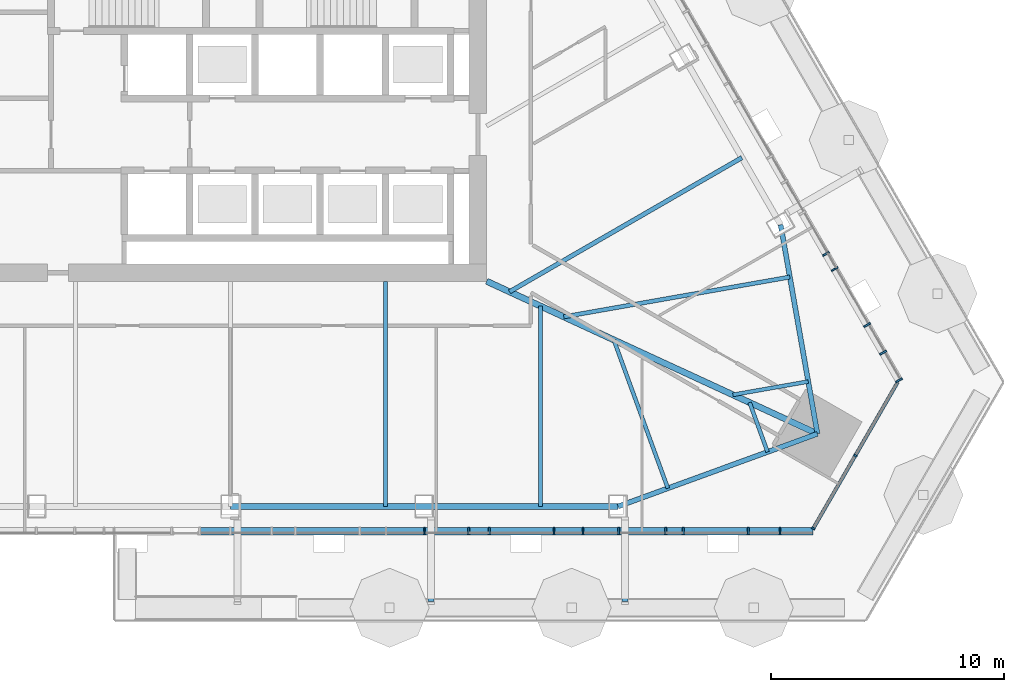
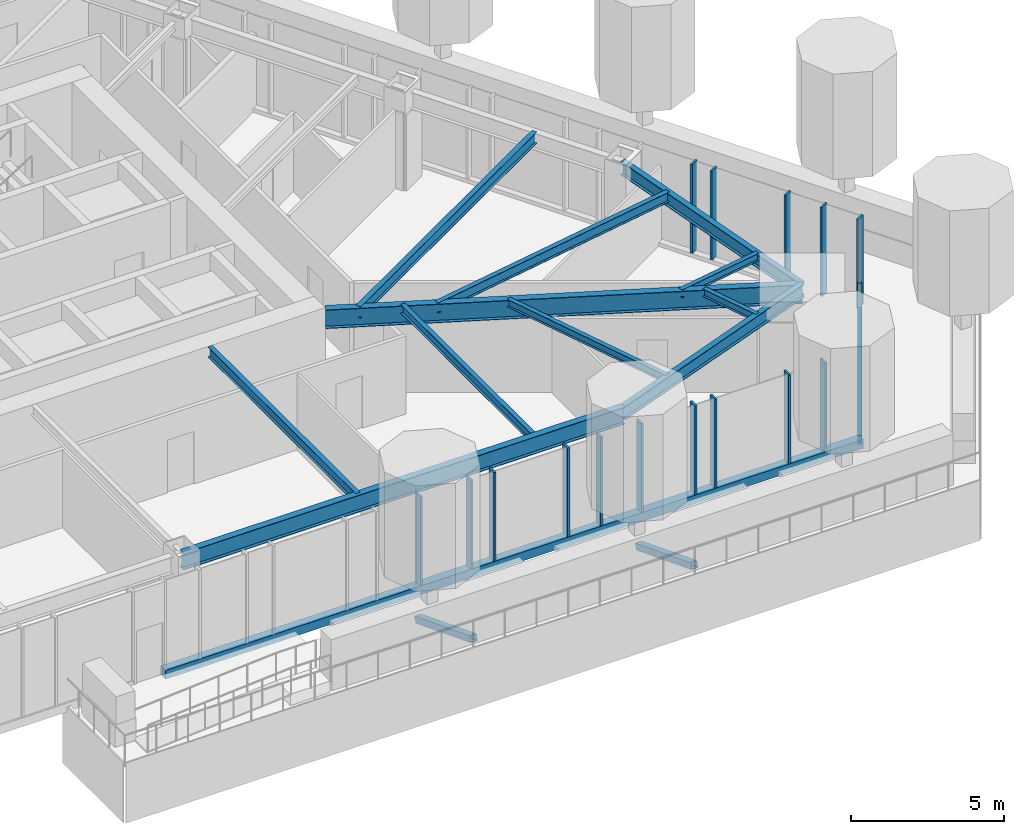
# One storey, part 4 of 18: 21 members, 11 beams, 3 elements without a shape of their own.
"""IFC4 building model written with IfcOpenShell, lengths in metres."""

from ifc_helpers import new_model, si_unit, direction, frame, origin, origin_2d, place, context, subcontext, project, spatial, rectangle, hollow_rectangle, i_section, extrude, material, layer, layer_set, material_profile, profile_set, type_object, element, aggregate, save


model = new_model("IFC4")

# Units and contexts
model_context = context("Model", 3, precision=1e-05, world=origin(), true_north=direction((0.0, 1.0)))
body_context = subcontext(model_context, "Body", "Model", "MODEL_VIEW")
ifc_project = project(units=[si_unit("LENGTHUNIT", "METRE"), si_unit("AREAUNIT", "SQUARE_METRE"), si_unit("VOLUMEUNIT", "CUBIC_METRE"), si_unit("PLANEANGLEUNIT", "RADIAN"), si_unit("MASSUNIT", "GRAM", prefix="KILO")], contexts=[model_context])

# Site, building, storey
site_placement = place(None, origin())
site = spatial("IfcSite", under=ifc_project, at=site_placement, CompositionType="ELEMENT")
building_placement = place(site_placement, origin())
building = spatial("IfcBuilding", under=site, at=building_placement, Name="Firuza Gate Tower and Library", CompositionType="ELEMENT")
storey_placement = place(building_placement, frame((0.0, 0.0, 226.0)))
storey = spatial("IfcBuildingStorey", under=building, at=storey_placement, Name="L53", CompositionType="ELEMENT", Elevation=226.0)

# Curtain wall, members
ifc_material_1 = material(Name="Aluminium 6063-T6", Category="aluminium")
ifc_layer_1 = layer(ifc_material_1, 0.14990234375)
ifc_layer_set_1 = layer_set([ifc_layer_1], Name="Corner curtain wall, chamfers")
curtain_wall_type_1 = type_object("IfcCurtainWallType", Name="Corner curtain wall, chamfers", PredefinedType="NOTDEFINED", material=ifc_layer_set_1)
placement = place(storey_placement, origin())
curtain_wall_1 = element("IfcCurtainWall", 1, at=placement, inside=storey, type_object=curtain_wall_type_1, Name="CW4 L53 SE corner", PredefinedType="NOTDEFINED")
ifc_material_2 = material(Name="Aluminium 6063-T6", Category="aluminium")
ifc_material_profile_1 = material_profile(ifc_material_2, rectangle(XDim=0.14990234375, YDim=0.080078125, at=origin_2d()))
ifc_profile_set_1 = profile_set([ifc_material_profile_1], Name="Aluminium 6063-T6")
member_type_1 = type_object("IfcMemberType", Name="Curtain wall mullion 80x150", PredefinedType="MULLION", material=ifc_profile_set_1)
member_1_placement = place(storey_placement, frame((100.01611328125, 56.396240234375, 0.14990234375), z_axis=(0.0, 0.0, 1.0), x_axis=(-0.866025403784, 0.5, 0.0)))
member_1 = element("IfcMember", 2, at=member_1_placement, type_object=member_type_1, Name="Mullion", PredefinedType="MULLION", context=body_context, shape_type="SweptSolid", body=[
    extrude(rectangle(XDim=0.14990234375, YDim=0.080078125, at=origin_2d()), origin(), (0.0, 0.0, 1.0), 3.550048828125),
])
member_2_placement = place(storey_placement, frame((101.817626953125, 59.516845703125, 0.14990234375), z_axis=(0.0, 0.0, 1.0), x_axis=(-0.866025403784, 0.5, 0.0)))
member_2 = element("IfcMember", 3, at=member_2_placement, type_object=member_type_1, Name="Mullion", PredefinedType="MULLION", context=body_context, shape_type="SweptSolid", body=[
    extrude(rectangle(XDim=0.14990234375, YDim=0.080078125, at=origin_2d()), origin(), (0.0, 0.0, 1.0), 3.550048828125),
])

ifc_material_3 = material(Name="Aluminium 6063-T6", Category="aluminium")
ifc_layer_2 = layer(ifc_material_3, 0.14990234375)
ifc_layer_set_2 = layer_set([ifc_layer_2], Name="Unitised curtain wall, hotel")
curtain_wall_type_2 = type_object("IfcCurtainWallType", Name="Unitised curtain wall, hotel", PredefinedType="NOTDEFINED", material=ifc_layer_set_2)
curtain_wall_2 = element("IfcCurtainWall", 4, at=placement, inside=storey, type_object=curtain_wall_type_2, Name="CW2 L53 S face", PredefinedType="NOTDEFINED")
ifc_material_4 = material(Name="Aluminium 6063-T6", Category="aluminium")
ifc_material_profile_2 = material_profile(ifc_material_4, rectangle(XDim=0.320068359375, YDim=0.080078125, at=origin_2d()))
ifc_profile_set_2 = profile_set([ifc_material_profile_2], Name="Aluminium 6063-T6")
member_type_2 = type_object("IfcMemberType", Name="Curtain wall mullion 80x320", PredefinedType="MULLION", material=ifc_profile_set_2)
member_3_placement = place(storey_placement, frame((83.33203125, 56.276611328125, 0.14990234375), z_axis=(0.0, 0.0, 1.0), x_axis=(0.0, 1.0, 0.0)))
member_3 = element("IfcMember", 5, at=member_3_placement, type_object=member_type_2, Name="Mullion", PredefinedType="MULLION", context=body_context, shape_type="SweptSolid", body=[
    extrude(rectangle(XDim=0.320068359375, YDim=0.080078125, at=origin_2d()), origin(), (0.0, 0.0, 1.0), 3.550048828125),
])
member_4_placement = place(storey_placement, frame((86.109375, 56.276611328125, 0.14990234375), z_axis=(0.0, 0.0, 1.0), x_axis=(0.0, 1.0, 0.0)))
member_4 = element("IfcMember", 6, at=member_4_placement, type_object=member_type_2, Name="Mullion", PredefinedType="MULLION", context=body_context, shape_type="SweptSolid", body=[
    extrude(rectangle(XDim=0.320068359375, YDim=0.080078125, at=origin_2d()), origin(), (0.0, 0.0, 1.0), 3.550048828125),
])
member_5_placement = place(storey_placement, frame((88.88671875, 56.276611328125, 0.14990234375), z_axis=(0.0, 0.0, 1.0), x_axis=(0.0, 1.0, 0.0)))
member_5 = element("IfcMember", 7, at=member_5_placement, type_object=member_type_2, Name="Mullion", PredefinedType="MULLION", context=body_context, shape_type="SweptSolid", body=[
    extrude(rectangle(XDim=0.320068359375, YDim=0.080078125, at=origin_2d()), origin(), (0.0, 0.0, 1.0), 3.550048828125),
])
member_6_placement = place(storey_placement, frame((91.6640625, 56.276611328125, 0.14990234375), z_axis=(0.0, 0.0, 1.0), x_axis=(0.0, 1.0, 0.0)))
member_6 = element("IfcMember", 8, at=member_6_placement, type_object=member_type_2, Name="Mullion", PredefinedType="MULLION", context=body_context, shape_type="SweptSolid", body=[
    extrude(rectangle(XDim=0.320068359375, YDim=0.080078125, at=origin_2d()), origin(), (0.0, 0.0, 1.0), 3.550048828125),
])
member_7_placement = place(storey_placement, frame((94.44140625, 56.276611328125, 0.14990234375), z_axis=(0.0, 0.0, 1.0), x_axis=(0.0, 1.0, 0.0)))
member_7 = element("IfcMember", 9, at=member_7_placement, type_object=member_type_2, Name="Mullion", PredefinedType="MULLION", context=body_context, shape_type="SweptSolid", body=[
    extrude(rectangle(XDim=0.320068359375, YDim=0.080078125, at=origin_2d()), origin(), (0.0, 0.0, 1.0), 3.550048828125),
])
member_8_placement = place(storey_placement, frame((97.21875, 56.276611328125, 0.14990234375), z_axis=(0.0, 0.0, 1.0), x_axis=(0.0, 1.0, 0.0)))
member_8 = element("IfcMember", 10, at=member_8_placement, type_object=member_type_2, Name="Mullion", PredefinedType="MULLION", context=body_context, shape_type="SweptSolid", body=[
    extrude(rectangle(XDim=0.320068359375, YDim=0.080078125, at=origin_2d()), origin(), (0.0, 0.0, 1.0), 3.550048828125),
])
member_9_placement = place(storey_placement, frame((85.23486328125, 56.276611328125, 0.14990234375), z_axis=(0.0, 0.0, 1.0), x_axis=(0.0, 1.0, 0.0)))
member_9 = element("IfcMember", 11, at=member_9_placement, type_object=member_type_2, Name="Mullion", PredefinedType="MULLION", context=body_context, shape_type="SweptSolid", body=[
    extrude(rectangle(XDim=0.320068359375, YDim=0.080078125, at=origin_2d()), origin(), (0.0, 0.0, 1.0), 3.550048828125),
])
member_10_placement = place(storey_placement, frame((90.132080078125, 56.276611328125, 0.14990234375), z_axis=(0.0, 0.0, 1.0), x_axis=(0.0, 1.0, 0.0)))
member_10 = element("IfcMember", 12, at=member_10_placement, type_object=member_type_2, Name="Mullion", PredefinedType="MULLION", context=body_context, shape_type="SweptSolid", body=[
    extrude(rectangle(XDim=0.320068359375, YDim=0.080078125, at=origin_2d()), origin(), (0.0, 0.0, 1.0), 3.550048828125),
])
member_11_placement = place(storey_placement, frame((93.6904296875, 56.276611328125, 0.14990234375), z_axis=(0.0, 0.0, 1.0), x_axis=(0.0, 1.0, 0.0)))
member_11 = element("IfcMember", 13, at=member_11_placement, type_object=member_type_2, Name="Mullion", PredefinedType="MULLION", context=body_context, shape_type="SweptSolid", body=[
    extrude(rectangle(XDim=0.320068359375, YDim=0.080078125, at=origin_2d()), origin(), (0.0, 0.0, 1.0), 3.550048828125),
])
member_12_placement = place(storey_placement, frame((98.587890625, 56.276611328125, 0.14990234375), z_axis=(0.0, 0.0, 1.0), x_axis=(0.0, 1.0, 0.0)))
member_12 = element("IfcMember", 14, at=member_12_placement, type_object=member_type_2, Name="Mullion", PredefinedType="MULLION", context=body_context, shape_type="SweptSolid", body=[
    extrude(rectangle(XDim=0.320068359375, YDim=0.080078125, at=origin_2d()), origin(), (0.0, 0.0, 1.0), 3.550048828125),
])

curtain_wall_3 = element("IfcCurtainWall", 15, at=placement, inside=storey, type_object=curtain_wall_type_2, Name="CW2 L53 E face", PredefinedType="NOTDEFINED")
member_13_placement = place(storey_placement, frame((103.69287109375, 62.7490234375, 0.14990234375), z_axis=(0.0, 0.0, 1.0), x_axis=(-0.866025403784, -0.5, 0.0)))
member_13 = element("IfcMember", 16, at=member_13_placement, type_object=member_type_2, Name="Mullion", PredefinedType="MULLION", context=body_context, shape_type="SweptSolid", body=[
    extrude(rectangle(XDim=0.320068359375, YDim=0.080078125, at=origin_2d()), origin(), (0.0, 0.0, 1.0), 3.550048828125),
])
member_14_placement = place(storey_placement, frame((102.32421875, 65.11962890625, 0.14990234375), z_axis=(0.0, 0.0, 1.0), x_axis=(-0.866025403784, -0.5, 0.0)))
member_14 = element("IfcMember", 17, at=member_14_placement, type_object=member_type_2, Name="Mullion", PredefinedType="MULLION", context=body_context, shape_type="SweptSolid", body=[
    extrude(rectangle(XDim=0.320068359375, YDim=0.080078125, at=origin_2d()), origin(), (0.0, 0.0, 1.0), 3.550048828125),
])
member_15_placement = place(storey_placement, frame((100.935546875, 67.52490234375, 0.14990234375), z_axis=(0.0, 0.0, 1.0), x_axis=(-0.866025403784, -0.5, 0.0)))
member_15 = element("IfcMember", 18, at=member_15_placement, type_object=member_type_2, Name="Mullion", PredefinedType="MULLION", context=body_context, shape_type="SweptSolid", body=[
    extrude(rectangle(XDim=0.320068359375, YDim=0.080078125, at=origin_2d()), origin(), (0.0, 0.0, 1.0), 3.550048828125),
])
member_16_placement = place(storey_placement, frame((103.0087890625, 63.93408203125, 0.14990234375), z_axis=(0.0, 0.0, 1.0), x_axis=(-0.866025403784, -0.5, 0.0)))
member_16 = element("IfcMember", 19, at=member_16_placement, type_object=member_type_2, Name="Mullion", PredefinedType="MULLION", context=body_context, shape_type="SweptSolid", body=[
    extrude(rectangle(XDim=0.320068359375, YDim=0.080078125, at=origin_2d()), origin(), (0.0, 0.0, 1.0), 3.550048828125),
])
member_17_placement = place(storey_placement, frame((100.560302734375, 68.17529296875, 0.14990234375), z_axis=(0.0, 0.0, 1.0), x_axis=(-0.866025403784, -0.5, 0.0)))
member_17 = element("IfcMember", 20, at=member_17_placement, type_object=member_type_2, Name="Mullion", PredefinedType="MULLION", context=body_context, shape_type="SweptSolid", body=[
    extrude(rectangle(XDim=0.320068359375, YDim=0.080078125, at=origin_2d()), origin(), (0.0, 0.0, 1.0), 3.550048828125),
])
aggregate(curtain_wall_3, [member_13, member_14, member_15, member_16, member_17])

# Member
ifc_material_5 = material(Name="Aluminium 6063-T6", Category="aluminium")
ifc_material_profile_3 = material_profile(ifc_material_5, rectangle(XDim=0.14990234375, YDim=0.35009765625, at=origin_2d()))
ifc_profile_set_3 = profile_set([ifc_material_profile_3], Name="Aluminium 6063-T6")
member_type_3 = type_object("IfcMemberType", Name="Curtain wall transom 350x150", PredefinedType="USERDEFINED", material=ifc_profile_set_3)
member_18_placement = place(storey_placement, frame((99.99609375, 56.361572265625, -0.02490234375), z_axis=(0.500005719219, 0.866022101766, 0.0), x_axis=(-0.866022101766, 0.500005719219, 0.0)))
member_18 = element("IfcMember", 21, at=member_18_placement, type_object=member_type_3, Name="Transom", ObjectType="TRANSOM", PredefinedType="USERDEFINED", context=body_context, shape_type="SweptSolid", body=[
    extrude(rectangle(XDim=0.14990234375, YDim=0.35009765625, at=origin_2d()), origin(), (0.0, 0.0, 1.0), 7.28662109375),
])

aggregate(curtain_wall_1, [member_1, member_2, member_18])

ifc_material_6 = material(Name="Aluminium 6063-T6", Category="aluminium")
ifc_material_profile_4 = material_profile(ifc_material_6, rectangle(XDim=0.320068359375, YDim=0.35009765625, at=origin_2d()))
ifc_profile_set_4 = profile_set([ifc_material_profile_4], Name="Aluminium 6063-T6")
member_type_4 = type_object("IfcMemberType", Name="Curtain wall transom 350x320", PredefinedType="USERDEFINED", material=ifc_profile_set_4)
member_19_placement = place(storey_placement, frame((73.68798828125, 56.276611328125, -0.02490234375), z_axis=(1.0, 0.0, 0.0), x_axis=(0.0, 1.0, 0.0)))
member_19 = element("IfcMember", 22, at=member_19_placement, type_object=member_type_4, Name="Transom", ObjectType="TRANSOM", PredefinedType="USERDEFINED", context=body_context, shape_type="SweptSolid", body=[
    extrude(rectangle(XDim=0.320068359375, YDim=0.35009765625, at=origin_2d()), origin(), (0.0, 0.0, 1.0), 26.30810546875),
])

aggregate(curtain_wall_2, [member_3, member_4, member_5, member_6, member_7, member_8, member_19, member_9, member_10, member_11, member_12])

# Members
ifc_material_7 = material(Name="Steel S355", Category="steel")
ifc_material_profile_5 = material_profile(ifc_material_7, hollow_rectangle(XDim=0.25390625, YDim=0.25390625, WallThickness=0.01171875, at=origin_2d()))
ifc_profile_set_5 = profile_set([ifc_material_profile_5], Name="Steel S355")
member_type_5 = type_object("IfcMemberType", Name="HSS254x254x13 Tray strut", PredefinedType="BRACE", material=ifc_profile_set_5)
for number, where, z_axis, x_axis, name in (
    (23, (83.61767578125, 56.801513671875, -1.669921875), (0.0, -0.932008230148, 0.36243711032), (1.0, 0.0, 0.0), "Tray strut L53 col:L52:S4"),
    (24, (91.935302734375, 56.801513671875, -1.669921875), (0.0, -0.932008230148, 0.36243711032), (1.0, 0.0, 0.0), "Tray strut L53 col:L52:S5"),
):
    element("IfcMember", number, at=place(storey_placement, frame(where, z_axis=z_axis, x_axis=x_axis)), inside=storey, type_object=member_type_5, Name=name, PredefinedType="BRACE", context=body_context, shape_type="SweptSolid", body=[
        extrude(hollow_rectangle(XDim=0.25390625, YDim=0.25390625, WallThickness=0.01171875, at=origin_2d()), origin(), (0.0, 0.0, 1.0), 3.862548828125),
    ])

# Beams
ifc_material_8 = material(Name="Steel S355", Category="steel")
ifc_material_profile_6 = material_profile(ifc_material_8, i_section(OverallWidth=0.1650390625, OverallDepth=0.31005859375, WebThickness=0.005859375, FlangeThickness=0.009765625, at=origin_2d()))
ifc_profile_set_6 = profile_set([ifc_material_profile_6], Name="Steel S355")
beam_type_1 = type_object("IfcBeamType", Name="W310x39 Floor beam", PredefinedType="JOIST", material=ifc_profile_set_6)
beam_1_placement = place(storey_placement, frame((93.77490234375, 58.115966796875, 3.544921875), z_axis=(-0.342269386036, 0.939601866422, 0.0), x_axis=(-0.939601866422, -0.342269386036, 0.0)))
element("IfcBeam", 25, at=beam_1_placement, inside=storey, type_object=beam_type_1, Name="Floor beam L53 s30", PredefinedType="JOIST", context=body_context, shape_type="SweptSolid", body=[
    extrude(i_section(OverallWidth=0.1650390625, OverallDepth=0.31005859375, WebThickness=0.005859375, FlangeThickness=0.009765625, at=origin_2d()), origin(), (0.0, 0.0, 1.0), 6.77783203125),
])
beam_2_placement = place(storey_placement, frame((98.05419921875, 59.6748046875, 3.544921875), z_axis=(-0.342237584448, 0.939613450197, 0.0), x_axis=(-0.939613450197, -0.342237584448, 0.0)))
element("IfcBeam", 26, at=beam_2_placement, inside=storey, type_object=beam_type_1, Name="Floor beam L53 s31", PredefinedType="JOIST", context=body_context, shape_type="SweptSolid", body=[
    extrude(i_section(OverallWidth=0.1650390625, OverallDepth=0.31005859375, WebThickness=0.005859375, FlangeThickness=0.009765625, at=origin_2d()), origin(), (0.0, 0.0, 1.0), 2.25927734375),
])
beam_3_placement = place(storey_placement, frame((99.799072265625, 62.697021484375, 3.544921875), z_axis=(-0.984853837144, -0.173386618467, 0.0), x_axis=(0.173386618467, -0.984853837144, 0.0)))
element("IfcBeam", 27, at=beam_3_placement, inside=storey, type_object=beam_type_1, Name="Floor beam L53 s40", PredefinedType="JOIST", context=body_context, shape_type="SweptSolid", body=[
    extrude(i_section(OverallWidth=0.1650390625, OverallDepth=0.31005859375, WebThickness=0.005859375, FlangeThickness=0.009765625, at=origin_2d()), origin(), (0.0, 0.0, 1.0), 3.28369140625),
])
ifc_material_9 = material(Name="Steel S355", Category="steel")
ifc_material_profile_7 = material_profile(ifc_material_9, i_section(OverallWidth=0.1708984375, OverallDepth=0.35498046875, WebThickness=0.007080078125, FlangeThickness=0.01171875, at=origin_2d()))
ifc_profile_set_7 = profile_set([ifc_material_profile_7], Name="Steel S355")
beam_type_2 = type_object("IfcBeamType", Name="W360x51 Floor beam", PredefinedType="JOIST", material=ifc_profile_set_7)
beam_4_placement = place(storey_placement, frame((88.30810546875, 57.336669921875, 3.5224609375), z_axis=(0.0, 1.0, 0.0), x_axis=(-1.0, 0.0, 0.0)))
element("IfcBeam", 28, at=beam_4_placement, inside=storey, type_object=beam_type_2, Name="Floor beam L53 s24", PredefinedType="JOIST", context=body_context, shape_type="SweptSolid", body=[
    extrude(i_section(OverallWidth=0.1708984375, OverallDepth=0.35498046875, WebThickness=0.007080078125, FlangeThickness=0.01171875, at=origin_2d()), origin(), (0.0, 0.0, 1.0), 8.598876953125),
])
ifc_material_10 = material(Name="Steel S355", Category="steel")
ifc_material_profile_8 = material_profile(ifc_material_10, i_section(OverallWidth=0.177978515625, OverallDepth=0.406982421875, WebThickness=0.0078125, FlangeThickness=0.0126953125, at=origin_2d()))
ifc_profile_set_8 = profile_set([ifc_material_profile_8], Name="Steel S355")
beam_type_3 = type_object("IfcBeamType", Name="W410x60 Floor beam", PredefinedType="JOIST", material=ifc_profile_set_8)
beam_5_placement = place(storey_placement, frame((81.654052734375, 57.336669921875, 3.49658203125), z_axis=(0.0, 1.0, 0.0), x_axis=(-1.0, 0.0, 0.0)))
element("IfcBeam", 29, at=beam_5_placement, inside=storey, type_object=beam_type_3, Name="Floor beam L53 s23", PredefinedType="JOIST", context=body_context, shape_type="SweptSolid", body=[
    extrude(i_section(OverallWidth=0.177978515625, OverallDepth=0.406982421875, WebThickness=0.0078125, FlangeThickness=0.0126953125, at=origin_2d()), origin(), (0.0, 0.0, 1.0), 9.663330078125),
])
beam_6_placement = place(storey_placement, frame((99.009521484375, 67.182373046875, 3.49658203125), z_axis=(-0.984858068941, -0.173362579703, 0.0), x_axis=(0.173362579703, -0.984858068941, 0.0)))
element("IfcBeam", 30, at=beam_6_placement, inside=storey, type_object=beam_type_3, Name="Floor beam L53 s41", PredefinedType="JOIST", context=body_context, shape_type="SweptSolid", body=[
    extrude(i_section(OverallWidth=0.177978515625, OverallDepth=0.406982421875, WebThickness=0.0078125, FlangeThickness=0.0126953125, at=origin_2d()), origin(), (0.0, 0.0, 1.0), 9.850830078125),
])
ifc_material_11 = material(Name="Steel S355", Category="steel")
ifc_material_profile_9 = material_profile(ifc_material_11, i_section(OverallWidth=0.18994140625, OverallDepth=0.45703125, WebThickness=0.009033203125, FlangeThickness=0.014404296875, at=origin_2d()))
ifc_profile_set_9 = profile_set([ifc_material_profile_9], Name="Steel S355")
beam_type_4 = type_object("IfcBeamType", Name="W460x74 Floor beam", PredefinedType="JOIST", material=ifc_profile_set_9)
beam_7_placement = place(storey_placement, frame((96.950927734375, 72.306396484375, 3.471435546875), z_axis=(-0.86603094684, -0.499990399024, 0.0), x_axis=(0.499990399024, -0.86603094684, 0.0)))
element("IfcBeam", 31, at=beam_7_placement, inside=storey, type_object=beam_type_4, Name="Floor beam L53 s50", PredefinedType="JOIST", context=body_context, shape_type="SweptSolid", body=[
    extrude(i_section(OverallWidth=0.18994140625, OverallDepth=0.45703125, WebThickness=0.009033203125, FlangeThickness=0.014404296875, at=origin_2d()), origin(), (0.0, 0.0, 1.0), 11.515380859375),
])
ifc_material_12 = material(Name="Steel S355", Category="steel")
ifc_material_profile_10 = material_profile(ifc_material_12, i_section(OverallWidth=0.212890625, OverallDepth=0.5390625, WebThickness=0.01171875, FlangeThickness=0.018798828125, at=origin_2d()))
ifc_profile_set_10 = profile_set([ifc_material_profile_10], Name="Steel S355")
beam_type_5 = type_object("IfcBeamType", Name="W530x109 Edge beam", PredefinedType="SPANDREL", material=ifc_profile_set_10)
beam_8_placement = place(storey_placement, frame((91.63525390625, 57.336669921875, 3.430419921875), z_axis=(0.939600763384, 0.342272414092, 0.0), x_axis=(-0.342272414092, 0.939600763384, 0.0)))
element("IfcBeam", 32, at=beam_8_placement, inside=storey, type_object=beam_type_5, Name="Edge beam L53 e30", PredefinedType="SPANDREL", context=body_context, shape_type="SweptSolid", body=[
    extrude(i_section(OverallWidth=0.212890625, OverallDepth=0.5390625, WebThickness=0.01171875, FlangeThickness=0.018798828125, at=origin_2d()), origin(), (0.0, 0.0, 1.0), 9.108642578125),
])
beam_9_placement = place(storey_placement, frame((100.19384765625, 60.454345703125, 3.430419921875), z_axis=(-0.173384722592, 0.984854170916, 0.0), x_axis=(-0.984854170916, -0.173384722592, 0.0)))
element("IfcBeam", 33, at=beam_9_placement, inside=storey, type_object=beam_type_5, Name="Edge beam L53 e40", PredefinedType="SPANDREL", context=body_context, shape_type="SweptSolid", body=[
    extrude(i_section(OverallWidth=0.212890625, OverallDepth=0.5390625, WebThickness=0.01171875, FlangeThickness=0.018798828125, at=origin_2d()), origin(), (0.0, 0.0, 1.0), 9.10888671875),
])
ifc_material_13 = material(Name="Steel S355", Category="steel")
ifc_material_profile_11 = material_profile(ifc_material_13, i_section(OverallWidth=0.2529296875, OverallDepth=0.677978515625, WebThickness=0.01171875, FlangeThickness=0.016357421875, at=origin_2d()))
ifc_profile_set_11 = profile_set([ifc_material_profile_11], Name="Steel S355")
beam_type_6 = type_object("IfcBeamType", Name="W690x125 Edge beam", PredefinedType="SPANDREL", material=ifc_profile_set_11)
beam_10_placement = place(storey_placement, frame((75.0, 57.336669921875, 3.361083984375), z_axis=(1.0, 0.0, 0.0), x_axis=(0.0, 1.0, 0.0)))
element("IfcBeam", 34, at=beam_10_placement, inside=storey, type_object=beam_type_6, Name="Edge beam L53 e22", PredefinedType="SPANDREL", context=body_context, shape_type="SweptSolid", body=[
    extrude(i_section(OverallWidth=0.2529296875, OverallDepth=0.677978515625, WebThickness=0.01171875, FlangeThickness=0.016357421875, at=origin_2d()), origin(), (0.0, 0.0, 1.0), 16.63525390625),
])
ifc_material_14 = material(Name="Steel S355", Category="steel")
ifc_material_profile_12 = material_profile(ifc_material_14, i_section(OverallWidth=0.264892578125, OverallDepth=0.7529296875, WebThickness=0.01318359375, FlangeThickness=0.01708984375, at=origin_2d()))
ifc_profile_set_12 = profile_set([ifc_material_profile_12], Name="Steel S355")
beam_type_7 = type_object("IfcBeamType", Name="W760x147 Girder", PredefinedType="BEAM", material=ifc_profile_set_12)
beam_11_placement = place(storey_placement, frame((100.19384765625, 60.454345703125, 3.323486328125), z_axis=(-0.908089630554, 0.418775862341, 0.0), x_axis=(-0.418775862341, -0.908089630554, 0.0)))
element("IfcBeam", 35, at=beam_11_placement, inside=storey, type_object=beam_type_7, Name="Girder L53 gSE", PredefinedType="BEAM", context=body_context, shape_type="SweptSolid", body=[
    extrude(i_section(OverallWidth=0.264892578125, OverallDepth=0.7529296875, WebThickness=0.01318359375, FlangeThickness=0.01708984375, at=origin_2d()), origin(), (0.0, 0.0, 1.0), 15.63037109375),
])

save(model, "model.ifc")
